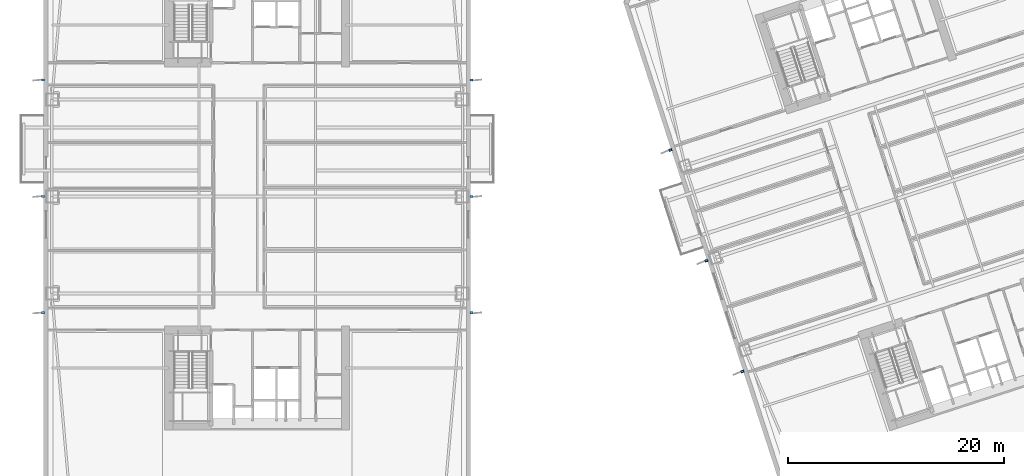
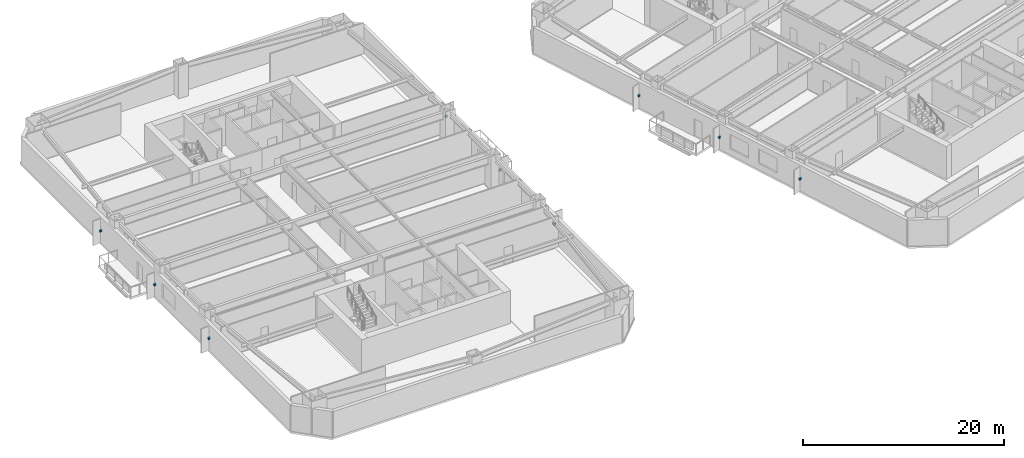
# One storey, part 11 of 21: 9 discrete accessories.
"""IFC4 building model written with IfcOpenShell, lengths in metres."""

from ifc_helpers import new_model, si_unit, direction, frame, origin, origin_2d, place, context, subcontext, project, spatial, rectangle, extrude, material, type_object, element, save


model = new_model("IFC4")

# Units and contexts
model_context = context("Model", 3, precision=1e-05, world=origin(), true_north=direction((0.0, 1.0)))
body_context = subcontext(model_context, "Body", "Model", "MODEL_VIEW")
ifc_project = project(units=[si_unit("LENGTHUNIT", "METRE"), si_unit("AREAUNIT", "SQUARE_METRE"), si_unit("VOLUMEUNIT", "CUBIC_METRE"), si_unit("PLANEANGLEUNIT", "RADIAN"), si_unit("MASSUNIT", "GRAM", prefix="KILO")], contexts=[model_context])

# Site, building, storey
site_placement = place(None, origin())
site = spatial("IfcSite", under=ifc_project, at=site_placement, CompositionType="ELEMENT")
building_placement = place(site_placement, origin())
building = spatial("IfcBuilding", under=site, at=building_placement, Name="Qiaolan Cultural Towers", CompositionType="ELEMENT")
storey_placement = place(building_placement, frame((0.0, 0.0, 34.0)))
storey = spatial("IfcBuildingStorey", under=building, at=storey_placement, Name="L07", CompositionType="ELEMENT", Elevation=34.0)

# Discrete accessories
ifc_material = material(Name="Stainless Steel S31608 Facade Anchor Bracket", Category="steel")
discrete_accessory_type = type_object("IfcDiscreteAccessoryType", Name="ACC-BRK-SS", PredefinedType="BRACKET", material=ifc_material)
for number, where, z_axis, x_axis, name in (
    (1, (10.1201171875, 23.199951171875, 1.4599609375), (0.0, 0.0, 1.0), (1.0, 0.0, 0.0), "L07 T1 Facade Fin Anchor Bracket W1"),
    (2, (10.1201171875, 34.0, 1.4599609375), (0.0, 0.0, 1.0), (1.0, 0.0, 0.0), "L07 T1 Facade Fin Anchor Bracket W2"),
    (3, (10.1201171875, 44.800048828125, 1.4599609375), (0.0, 0.0, 1.0), (1.0, 0.0, 0.0), "L07 T1 Facade Fin Anchor Bracket W3"),
    (4, (49.8798828125, 23.199951171875, 1.4599609375), (0.0, 0.0, 1.0), (1.0, 0.0, 0.0), "L07 T1 Facade Fin Anchor Bracket E1"),
    (5, (49.8798828125, 34.0, 1.4599609375), (0.0, 0.0, 1.0), (1.0, 0.0, 0.0), "L07 T1 Facade Fin Anchor Bracket E2"),
    (6, (49.8798828125, 44.800048828125, 1.4599609375), (0.0, 0.0, 1.0), (1.0, 0.0, 0.0), "L07 T1 Facade Fin Anchor Bracket E3"),
    (7, (75.0009765625, 17.770751953125, 1.4599609375), (0.0, 0.0, 1.0), (0.951056516295, 0.309016994375, 0.0), "L07 T2 Facade Fin Anchor Bracket W1"),
    (8, (71.66357421875, 28.042236328125, 1.4599609375), (0.0, 0.0, 1.0), (0.951056516295, 0.309016994375, 0.0), "L07 T2 Facade Fin Anchor Bracket W2"),
    (9, (68.326171875, 38.3134765625, 1.4599609375), (0.0, 0.0, 1.0), (0.951056516295, 0.309016994375, 0.0), "L07 T2 Facade Fin Anchor Bracket W3"),
):
    element("IfcDiscreteAccessory", number, at=place(storey_placement, frame(where, z_axis=z_axis, x_axis=x_axis)), inside=storey, type_object=discrete_accessory_type, Name=name, PredefinedType="BRACKET", context=body_context, shape_type="SweptSolid", body=[
        extrude(rectangle(XDim=0.280029296875, YDim=0.219970703125, at=origin_2d()), origin(), (0.0, 0.0, 1.0), 0.239990234375),
    ])

save(model, "model.ifc")
